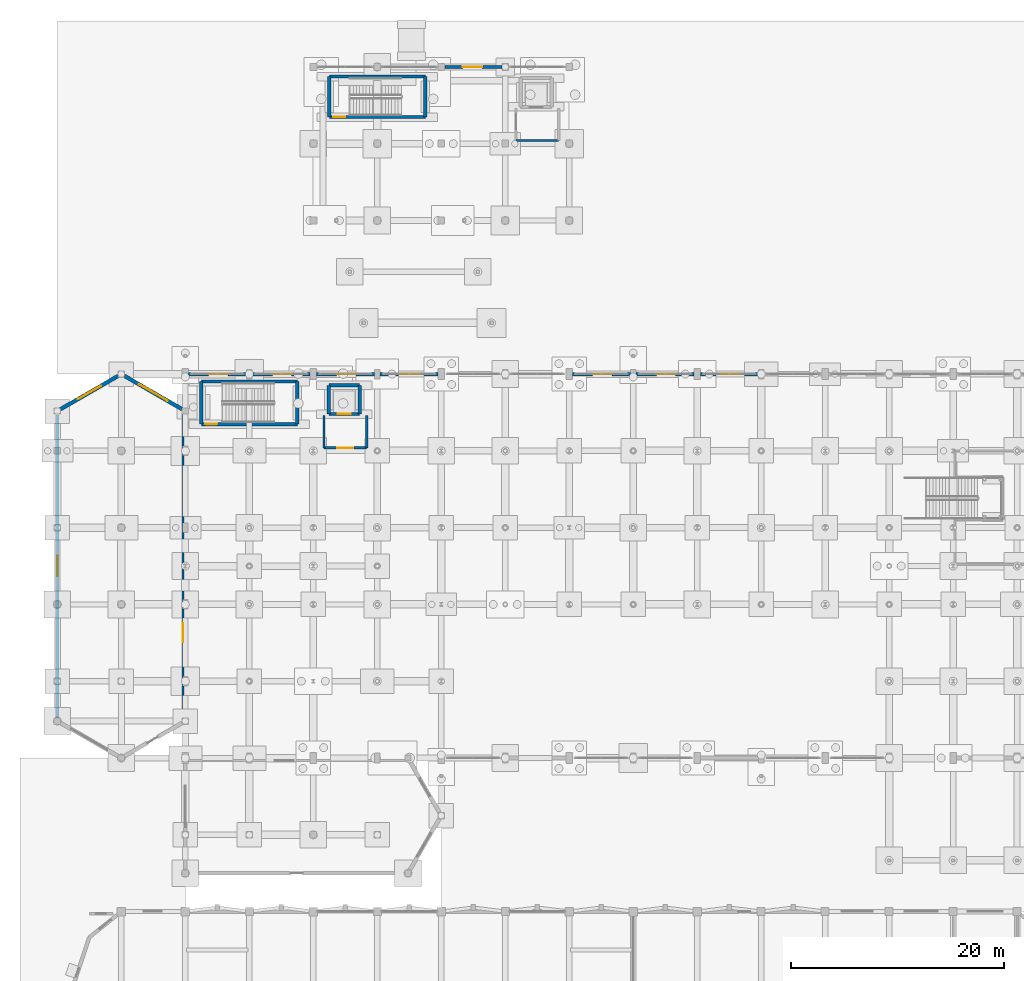
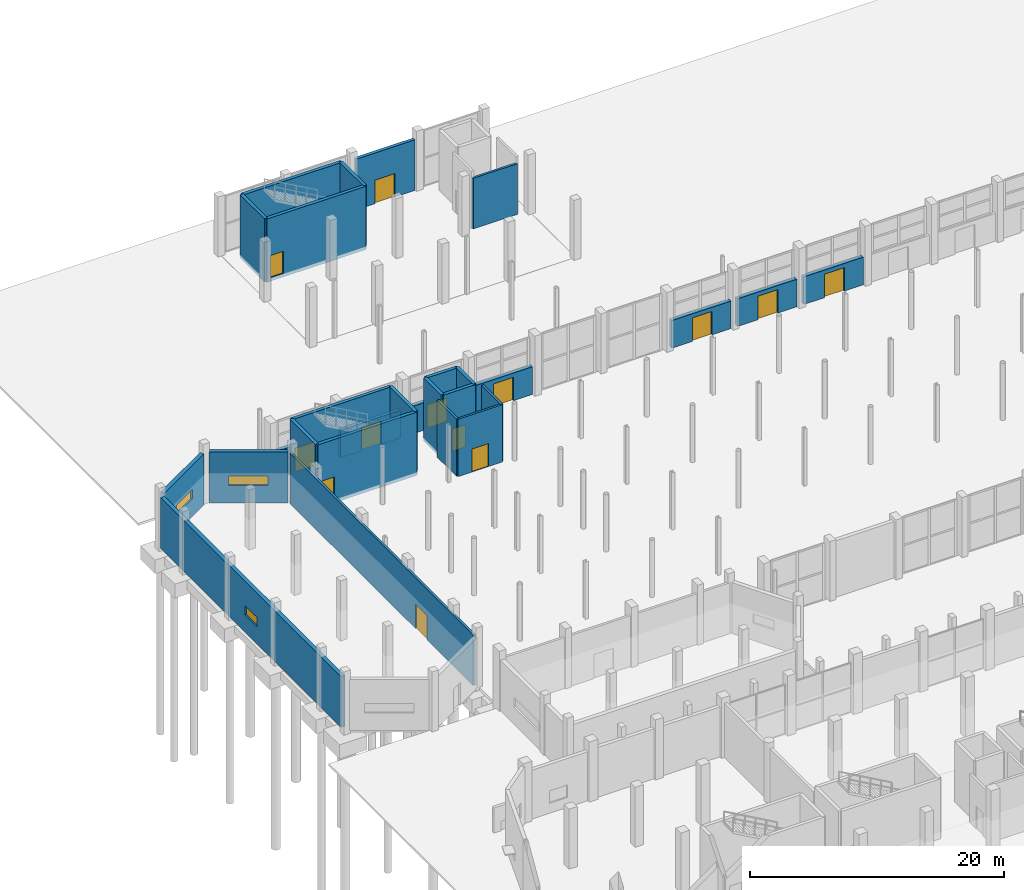
# One storey, part 80 of 103: 28 walls, 13 doors, 3 windows, 16 openings.
"""IFC4 building model written with IfcOpenShell, lengths in metres."""

import ifcopenshell
import ifcopenshell.guid

model = None  # the IFC model being written
_history = None  # IfcOwnerHistory: only IFC2X3 demands one
_inside = {}  # id of a spatial element -> (the spatial element, [elements in it])
_under = {}  # id of a project, library or spatial element -> (it, [spatial elements below it])
_declared = {}  # id of a project -> (the project, [libraries it declares])
_typed = {}  # id of a type object -> (the type object, [elements of that type])
_made_of = {}  # id of a material, layer set ... -> (it, [elements and type objects made of it])


def new_model(schema):
    """Start an empty IFC model of exactly this schema.

    Asked for "IFC4X3", IfcOpenShell would pick the latest addendum, in which some entities
    have other attributes; the version numbers below select the first issue.
    IFC2X3 requires an IfcOwnerHistory on every rooted entity: one is made here for all.
    """
    global model, _history
    if schema == "IFC4X3":
        model = ifcopenshell.file(schema_version=(4, 3, 0, 0))
    else:
        model = ifcopenshell.file(schema=schema)
    _inside.clear()
    _under.clear()
    _declared.clear()
    _typed.clear()
    _made_of.clear()
    _history = None
    if model.schema == "IFC2X3":
        org = make("IfcOrganization", Name="unknown")
        user = make(
            "IfcPersonAndOrganization",
            ThePerson=make("IfcPerson", FamilyName="unknown"),
            TheOrganization=org,
        )
        app = make(
            "IfcApplication",
            ApplicationDeveloper=org,
            Version="unknown",
            ApplicationFullName="unknown",
            ApplicationIdentifier="unknown",
        )
        _history = make(
            "IfcOwnerHistory",
            OwningUser=user,
            OwningApplication=app,
            ChangeAction="ADDED",
            CreationDate=0,
        )
    return model


def make(cls, **values):
    """One entity of the class cls with the attributes given. An attribute that is None is left unset."""
    return model.create_entity(
        cls, **{name: value for name, value in values.items() if value is not None}
    )


def rooted(cls, **values):
    """An entity with a GlobalId (a new one), such as an element, a storey or a relation."""
    return make(cls, GlobalId=ifcopenshell.guid.new(), OwnerHistory=_history, **values)


def si_unit(unit_type, name, prefix=None):
    """IfcSIUnit, for example si_unit("LENGTHUNIT", "METRE", prefix="MILLI")."""
    return make("IfcSIUnit", UnitType=unit_type, Prefix=prefix, Name=name)


def assignment(units):
    """IfcUnitAssignment: the units of a project."""
    return None if units is None else make("IfcUnitAssignment", Units=units)


def point(xyz):
    """IfcCartesianPoint."""
    return None if xyz is None else make("IfcCartesianPoint", Coordinates=xyz)


def direction(xyz):
    """IfcDirection."""
    return None if xyz is None else make("IfcDirection", DirectionRatios=xyz)


def frame(location, z_axis=None, x_axis=None):
    """IfcAxis2Placement3D, a coordinate frame: its origin and axes. An axis left out is left unset."""
    return make(
        "IfcAxis2Placement3D",
        Location=point(location),
        Axis=direction(z_axis),
        RefDirection=direction(x_axis),
    )


def frame_2d(location, x_axis=None):
    """IfcAxis2Placement2D, a coordinate frame in the plane: its origin and x axis."""
    return make(
        "IfcAxis2Placement2D", Location=point(location), RefDirection=direction(x_axis)
    )


def origin():
    """The frame at (0, 0, 0) with its axes left unset."""
    return frame((0.0, 0.0, 0.0))


def place(relative_to, where):
    """IfcLocalPlacement: puts the frame where relative to a parent placement (None: the world)."""
    return make(
        "IfcLocalPlacement", PlacementRelTo=relative_to, RelativePlacement=where
    )


def context(
    kind, dimensions, precision=None, world=None, true_north=None, identifier=None
):
    """IfcGeometricRepresentationContext, for example the 3D "Model" context."""
    return make(
        "IfcGeometricRepresentationContext",
        ContextIdentifier=identifier,
        ContextType=kind,
        CoordinateSpaceDimension=dimensions,
        Precision=precision,
        WorldCoordinateSystem=world,
        TrueNorth=true_north,
    )


def subcontext(parent, identifier, kind, view, scale=None):
    """IfcGeometricRepresentationSubContext, for example "Body" below "Model"."""
    return make(
        "IfcGeometricRepresentationSubContext",
        ContextIdentifier=identifier,
        ContextType=kind,
        ParentContext=parent,
        TargetScale=scale,
        TargetView=view,
    )


def project(units=None, contexts=None):
    """IfcProject with its units and contexts."""
    return rooted(
        "IfcProject",
        Name="project",
        RepresentationContexts=contexts,
        UnitsInContext=assignment(units),
    )


def spatial(cls, under=None, at=None, **own):
    """A site, building, storey or space (cls), placed at a placement, below another one or the project."""
    s = rooted(cls, ObjectPlacement=at, **own)
    if under is not None:
        _under.setdefault(under.id(), (under, []))[1].append(s)
    return s


def profile(cls, at=None, kind="AREA", **sizes):
    """A parametric profile (cls). Its sizes go by their IFC names, for example OverallWidth=200.0."""
    return make(cls, ProfileType=kind, Position=at, **sizes)


def rectangle(**sizes):
    """IfcRectangleProfileDef."""
    return profile("IfcRectangleProfileDef", **sizes)


def extrude(swept, where, along, depth):
    """IfcExtrudedAreaSolid: the profile swept, set in the frame where, extruded along a direction by depth."""
    return make(
        "IfcExtrudedAreaSolid",
        SweptArea=swept,
        Position=where,
        ExtrudedDirection=direction(along),
        Depth=depth,
    )


def shape(context_of_items, identifier, shape_type, items):
    """IfcShapeRepresentation: the items that make up one representation, for example the "Body"."""
    return make(
        "IfcShapeRepresentation",
        ContextOfItems=context_of_items,
        RepresentationIdentifier=identifier,
        RepresentationType=shape_type,
        Items=items,
    )


def material(Name=None, Category=None):
    """IfcMaterial."""
    return make("IfcMaterial", Name=Name, Category=Category)


def layer(
    of_material, thickness, ventilated=None, Name=None, Category=None, Priority=None
):
    """IfcMaterialLayer: one layer of a wall or slab, of a material (None: an air gap)."""
    return make(
        "IfcMaterialLayer",
        Material=of_material,
        LayerThickness=thickness,
        IsVentilated=ventilated,
        Name=Name,
        Category=Category,
        Priority=Priority,
    )


def layer_set(layers, Name=None):
    """IfcMaterialLayerSet."""
    return make("IfcMaterialLayerSet", MaterialLayers=layers, LayerSetName=Name)


def made_of(thing, what):
    """Note that an element or type object is made of a material, layer set ...; save() writes the relation."""
    if what is not None:
        _made_of.setdefault(what.id(), (what, []))[1].append(thing)
    return thing


def type_object(cls, material=None, **own):
    """A type object (cls), such as IfcWallType, which elements share."""
    return made_of(rooted(cls, **own), material)


def element(
    cls,
    number,
    at=None,
    inside=None,
    cuts=None,
    type_object=None,
    material=None,
    context=None,
    identifier="Body",
    shape_type=None,
    held_by="IfcProductDefinitionShape",
    body=None,
    shapes=None,
    **own,
):
    """One element of the class cls, such as IfcWall. Its Tag is "e" and its number.

    at: its placement. inside: the storey or other place that contains it. cuts: it is an
    opening in that element (IfcRelVoidsElement). A single representation is given by context,
    identifier, shape_type and body (its items); several are given by shapes. held_by: the class
    of the entity that holds the representations. save() writes the other relations.
    """
    e = rooted(cls, Tag="e%d" % number, ObjectPlacement=at, **own)
    if body is not None:
        shapes = [shape(context, identifier, shape_type, body)]
    if shapes is not None:
        e.Representation = make(held_by, Representations=shapes)
    if inside is not None:
        _inside.setdefault(inside.id(), (inside, []))[1].append(e)
    if cuts is not None:
        rooted(
            "IfcRelVoidsElement", RelatingBuildingElement=cuts, RelatedOpeningElement=e
        )
    if type_object is not None:
        _typed.setdefault(type_object.id(), (type_object, []))[1].append(e)
    return made_of(e, material)


def fill(opening, filler):
    """IfcRelFillsElement: the door or window that sits in an opening."""
    return rooted(
        "IfcRelFillsElement",
        RelatingOpeningElement=opening,
        RelatedBuildingElement=filler,
    )


def aggregate(whole, parts):
    """IfcRelAggregates: a whole, such as a stair, and the parts it consists of."""
    return rooted("IfcRelAggregates", RelatingObject=whole, RelatedObjects=parts)


def save(model, path):
    """Write the relations noted so far, then the file.

    IfcRelAggregates (storeys below a building ...), IfcRelContainedInSpatialStructure (elements
    in a storey), IfcRelDefinesByType, IfcRelAssociatesMaterial and IfcRelDeclares: one each for
    every whole, place, type object, material and project.
    """
    for whole, parts in _under.values():
        aggregate(whole, parts)
    for where, things in _inside.values():
        rooted(
            "IfcRelContainedInSpatialStructure",
            RelatedElements=things,
            RelatingStructure=where,
        )
    for kind, things in _typed.values():
        rooted("IfcRelDefinesByType", RelatedObjects=things, RelatingType=kind)
    for what, things in _made_of.values():
        rooted("IfcRelAssociatesMaterial", RelatedObjects=things, RelatingMaterial=what)
    for by, libraries in _declared.values():
        rooted("IfcRelDeclares", RelatingContext=by, RelatedDefinitions=libraries)
    model.write(path)


model = new_model("IFC4")

# Units and contexts
model_context = context("Model", 3, precision=1e-05, world=origin(), true_north=direction((0.0, 1.0)))
body_context = subcontext(model_context, "Body", "Model", "MODEL_VIEW")
ifc_project = project(units=[si_unit("LENGTHUNIT", "METRE"), si_unit("AREAUNIT", "SQUARE_METRE"), si_unit("VOLUMEUNIT", "CUBIC_METRE"), si_unit("PLANEANGLEUNIT", "RADIAN"), si_unit("MASSUNIT", "GRAM", prefix="KILO")], contexts=[model_context])

# Site, building, storey
site_placement = place(None, origin())
site = spatial("IfcSite", under=ifc_project, at=site_placement, CompositionType="ELEMENT")
building_placement = place(site_placement, origin())
building = spatial("IfcBuilding", under=site, at=building_placement, Name="Dunvalen Ferry Terminal", CompositionType="ELEMENT")
storey_placement = place(building_placement, origin())
storey = spatial("IfcBuildingStorey", under=building, at=storey_placement, Name="L00", CompositionType="ELEMENT", Elevation=0.0)

# Wall, opening, window
ifc_material_1 = material(Name="Precast concrete C40/50", Category="concrete")
ifc_layer_1 = layer(ifc_material_1, 0.360107421875, Name="Precast concrete C40/50")
ifc_layer_set_1 = layer_set([ifc_layer_1], Name="Precast concrete C40/50")
wall_type_1 = type_object("IfcWallType", Name="ENV-WL-ANX360", PredefinedType="SOLIDWALL", material=ifc_layer_set_1)
wall_1_placement = place(storey_placement, frame((11.697021484375, 83.11083984375, 0.0), z_axis=(0.0, 0.0, 1.0), x_axis=(-0.866025010818, 0.500000680637, 0.0)))
wall_1 = element("IfcWall", 1, at=wall_1_placement, inside=storey, type_object=wall_type_1, Name="L00 V1AW Faceted Precast Wall 03", PredefinedType="SOLIDWALL", context=body_context, shape_type="SweptSolid", body=[
    extrude(rectangle(XDim=6.228515625, YDim=0.360107421875, at=frame_2d((3.1142578125, 0.0))), origin(), (0.0, 0.0, 1.0), 4.8701171875),
])
opening_1_placement = place(wall_1_placement, frame((1.564208984375, 0.0, 1.64990234375)))
opening_1 = element("IfcOpeningElement", 2, at=opening_1_placement, cuts=wall_1, Name="Opening W-14", PredefinedType="OPENING", context=body_context, shape_type="SweptSolid", body=[
    extrude(rectangle(XDim=3.10009765625, YDim=0.949951171875, at=frame_2d((1.550048828125, 0.47509765625))), frame((0.0, 0.18994140625, 0.0), z_axis=(0.0, -1.0, 0.0), x_axis=(1.0, 0.0, 0.0)), (0.0, 0.0, 1.0), 0.380126953125),
])
ifc_material_2 = material(Name="Thermally broken aluminium and double glazing", Category="aluminium")
window_type_1 = type_object("IfcWindowType", Name="ENV-WIN-CLR-14", PartitioningType="SINGLE_PANEL", PredefinedType="WINDOW", material=ifc_material_2)
window_1_placement = place(opening_1_placement, origin())
window_1 = element("IfcWindow", 3, at=window_1_placement, inside=storey, type_object=window_type_1, Name="L00 V1AW Clerestory Window 03", OverallHeight=0.949951171875, OverallWidth=3.10009765625, PartitioningType="SINGLE_PANEL", PredefinedType="WINDOW", context=body_context, shape_type="SweptSolid", body=[
    extrude(rectangle(XDim=3.10009765625, YDim=0.949951171875, at=frame_2d((1.550048828125, 0.47509765625))), frame((0.0, 0.030029296875, 0.0), z_axis=(0.0, -1.0, 0.0), x_axis=(1.0, 0.0, 0.0)), (0.0, 0.0, 1.0), 0.06005859375),
])
fill(opening_1, window_1)

wall_2_placement = place(storey_placement, frame((5.697021484375, 86.22509765625, 0.0), z_axis=(0.0, 0.0, 1.0), x_axis=(-0.866025010818, -0.500000680637, 0.0)))
wall_2 = element("IfcWall", 4, at=wall_2_placement, inside=storey, type_object=wall_type_1, Name="L00 V1AW Faceted Precast Wall 04", PredefinedType="SOLIDWALL", context=body_context, shape_type="SweptSolid", body=[
    extrude(rectangle(XDim=6.228515625, YDim=0.360107421875, at=frame_2d((3.1142578125, 0.0))), origin(), (0.0, 0.0, 1.0), 4.8701171875),
])
opening_2_placement = place(wall_2_placement, frame((1.864013671875, 0.0, 1.64990234375)))
opening_2 = element("IfcOpeningElement", 5, at=opening_2_placement, cuts=wall_2, Name="Opening W-15", PredefinedType="OPENING", context=body_context, shape_type="SweptSolid", body=[
    extrude(rectangle(XDim=2.5, YDim=0.89990234375, at=frame_2d((1.25, 0.449951171875))), frame((0.0, 0.18994140625, 0.0), z_axis=(0.0, -1.0, 0.0), x_axis=(1.0, 0.0, 0.0)), (0.0, 0.0, 1.0), 0.380126953125),
])
window_type_2 = type_object("IfcWindowType", Name="ENV-WIN-CLR-15", PartitioningType="SINGLE_PANEL", PredefinedType="WINDOW", material=ifc_material_2)
window_2_placement = place(opening_2_placement, origin())
window_2 = element("IfcWindow", 6, at=window_2_placement, inside=storey, type_object=window_type_2, Name="L00 V1AW Clerestory Window 04", OverallHeight=0.89990234375, OverallWidth=2.5, PartitioningType="SINGLE_PANEL", PredefinedType="WINDOW", context=body_context, shape_type="SweptSolid", body=[
    extrude(rectangle(XDim=2.5, YDim=0.89990234375, at=frame_2d((1.25, 0.449951171875))), frame((0.0, 0.030029296875, 0.0), z_axis=(0.0, -1.0, 0.0), x_axis=(1.0, 0.0, 0.0)), (0.0, 0.0, 1.0), 0.06005859375),
])
fill(opening_2, window_2)

wall_3_placement = place(storey_placement, frame((0.0, 82.5859375, 0.0), z_axis=(0.0, 0.0, 1.0), x_axis=(0.0, -1.0, 0.0)))
wall_3 = element("IfcWall", 7, at=wall_3_placement, inside=storey, type_object=wall_type_1, Name="L00 V1AW Faceted Precast Wall 05", PredefinedType="SOLIDWALL", context=body_context, shape_type="SweptSolid", body=[
    extrude(rectangle(XDim=28.371826171875, YDim=0.360107421875, at=frame_2d((14.18603515625, 0.0))), origin(), (0.0, 0.0, 1.0), 4.8701171875),
])
opening_3_placement = place(wall_3_placement, frame((13.23583984375, 0.0, 1.64990234375)))
opening_3 = element("IfcOpeningElement", 8, at=opening_3_placement, cuts=wall_3, Name="Opening W-16", PredefinedType="OPENING", context=body_context, shape_type="SweptSolid", body=[
    extrude(rectangle(XDim=1.89990234375, YDim=0.89990234375, at=frame_2d((0.949951171875, 0.449951171875))), frame((0.0, 0.18994140625, 0.0), z_axis=(0.0, -1.0, 0.0), x_axis=(1.0, 0.0, 0.0)), (0.0, 0.0, 1.0), 0.380126953125),
])
window_type_3 = type_object("IfcWindowType", Name="ENV-WIN-CLR-16", PartitioningType="SINGLE_PANEL", PredefinedType="WINDOW", material=ifc_material_2)
window_3_placement = place(opening_3_placement, origin())
window_3 = element("IfcWindow", 9, at=window_3_placement, inside=storey, type_object=window_type_3, Name="L00 V1AW Clerestory Window 05", OverallHeight=0.89990234375, OverallWidth=1.89990234375, PartitioningType="SINGLE_PANEL", PredefinedType="WINDOW", context=body_context, shape_type="SweptSolid", body=[
    extrude(rectangle(XDim=1.89990234375, YDim=0.89990234375, at=frame_2d((0.949951171875, 0.449951171875))), frame((0.0, 0.030029296875, 0.0), z_axis=(0.0, -1.0, 0.0), x_axis=(1.0, 0.0, 0.0)), (0.0, 0.0, 1.0), 0.06005859375),
])
fill(opening_3, window_3)

# Wall, opening, door
ifc_layer_2 = layer(ifc_material_1, 0.2900390625, Name="Precast concrete C40/50")
ifc_layer_set_2 = layer_set([ifc_layer_2], Name="Precast concrete C40/50")
wall_type_2 = type_object("IfcWallType", Name="ENV-WL-BRT290", PredefinedType="SOLIDWALL", material=ifc_layer_set_2)
wall_4_placement = place(storey_placement, frame((36.326904296875, 115.199951171875, 0.0), z_axis=(0.0, 0.0, 1.0), x_axis=(1.0, 0.0, 0.0)))
wall_4 = element("IfcWall", 10, at=wall_4_placement, inside=storey, type_object=wall_type_2, Name="L00 Berth Pavilion 1 Quay Apron Exit Wall", PredefinedType="SOLIDWALL", context=body_context, shape_type="SweptSolid", body=[
    extrude(rectangle(XDim=5.34619140625, YDim=0.2900390625, at=frame_2d((2.673095703125, 0.0))), origin(), (0.0, 0.0, 1.0), 4.860107421875),
])
opening_4_placement = place(wall_4_placement, frame((1.697509765625, 0.0, 0.0)))
opening_4 = element("IfcOpeningElement", 11, at=opening_4_placement, cuts=wall_4, Name="Opening ED-03", PredefinedType="OPENING", context=body_context, shape_type="SweptSolid", body=[
    extrude(rectangle(XDim=1.800048828125, YDim=2.25, at=frame_2d((0.89990234375, 1.125))), frame((0.0, 0.155029296875, 0.0), z_axis=(0.0, -1.0, 0.0), x_axis=(1.0, 0.0, 0.0)), (0.0, 0.0, 1.0), 0.31005859375),
])
ifc_material_3 = material(Name="Marine grade powder-coated aluminium and laminated glass", Category="aluminium")
door_type_1 = type_object("IfcDoorType", Name="ENV-DR-EXT-1800", OperationType="DOUBLE_SWING_LEFT", PredefinedType="DOOR", material=ifc_material_3)
door_1_placement = place(opening_4_placement, origin())
door_1 = element("IfcDoor", 12, at=door_1_placement, inside=storey, type_object=door_type_1, Name="L00 Berth Pavilion 1 Quay Discharge Door", OperationType="DOUBLE_SWING_LEFT", OverallHeight=2.25, OverallWidth=1.800048828125, PredefinedType="DOOR", context=body_context, shape_type="SweptSolid", body=[
    extrude(rectangle(XDim=1.800048828125, YDim=2.25, at=frame_2d((0.89990234375, 1.125))), frame((0.0, 0.02490234375, 0.0), z_axis=(0.0, -1.0, 0.0), x_axis=(1.0, 0.0, 0.0)), (0.0, 0.0, 1.0), 0.050048828125),
])
fill(opening_4, door_1)

ifc_layer_3 = layer(ifc_material_1, 0.340087890625, Name="Precast concrete C40/50")
ifc_layer_set_3 = layer_set([ifc_layer_3], Name="Precast concrete C40/50")
wall_type_3 = type_object("IfcWallType", Name="ENV-WL-SPN340", PredefinedType="SOLIDWALL", material=ifc_layer_set_3)
wall_5_placement = place(storey_placement, frame((12.302001953125, 86.39990234375, 0.0), z_axis=(0.0, 0.0, 1.0), x_axis=(1.0, 0.0, 0.0)))
wall_5 = element("IfcWall", 13, at=wall_5_placement, inside=storey, type_object=wall_type_3, Name="L00 Departure Hall Quay Storefront Portal Wall 01", PredefinedType="SOLIDWALL", context=body_context, shape_type="SweptSolid", body=[
    extrude(rectangle(XDim=5.4208984375, YDim=0.340087890625, at=frame_2d((2.71044921875, 0.0))), origin(), (0.0, 0.0, 1.0), 2.64990234375),
])
opening_5_placement = place(wall_5_placement, frame((1.887939453125, 0.0, 0.0)))
opening_5 = element("IfcOpeningElement", 14, at=opening_5_placement, cuts=wall_5, Name="Opening ED-03", PredefinedType="OPENING", context=body_context, shape_type="SweptSolid", body=[
    extrude(rectangle(XDim=1.800048828125, YDim=2.25, at=frame_2d((0.89990234375, 1.125))), frame((0.0, 0.18017578125, 0.0), z_axis=(0.0, -1.0, 0.0), x_axis=(1.0, 0.0, 0.0)), (0.0, 0.0, 1.0), 0.360107421875),
])
door_2_placement = place(opening_5_placement, origin())
door_2 = element("IfcDoor", 15, at=door_2_placement, inside=storey, type_object=door_type_1, Name="L00 Departure Hall Quay Promenade Exit Door 01", OperationType="DOUBLE_SWING_LEFT", OverallHeight=2.25, OverallWidth=1.800048828125, PredefinedType="DOOR", context=body_context, shape_type="SweptSolid", body=[
    extrude(rectangle(XDim=1.800048828125, YDim=2.25, at=frame_2d((0.89990234375, 1.125))), frame((0.0, 0.02490234375, 0.0), z_axis=(0.0, -1.0, 0.0), x_axis=(1.0, 0.0, 0.0)), (0.0, 0.0, 1.0), 0.050048828125),
])
fill(opening_5, door_2)

wall_6_placement = place(storey_placement, frame((18.277099609375, 86.39990234375, 0.0), z_axis=(0.0, 0.0, 1.0), x_axis=(1.0, 0.0, 0.0)))
wall_6 = element("IfcWall", 16, at=wall_6_placement, inside=storey, type_object=wall_type_3, Name="L00 Departure Hall Quay Storefront Portal Wall 02", PredefinedType="SOLIDWALL", context=body_context, shape_type="SweptSolid", body=[
    extrude(rectangle(XDim=5.4208984375, YDim=0.340087890625, at=frame_2d((2.71044921875, 0.0))), origin(), (0.0, 0.0, 1.0), 2.64990234375),
])
opening_6_placement = place(wall_6_placement, frame((1.887939453125, 0.0, 0.0)))
opening_6 = element("IfcOpeningElement", 17, at=opening_6_placement, cuts=wall_6, Name="Opening ED-03", PredefinedType="OPENING", context=body_context, shape_type="SweptSolid", body=[
    extrude(rectangle(XDim=1.800048828125, YDim=2.25, at=frame_2d((0.89990234375, 1.125))), frame((0.0, 0.18017578125, 0.0), z_axis=(0.0, -1.0, 0.0), x_axis=(1.0, 0.0, 0.0)), (0.0, 0.0, 1.0), 0.360107421875),
])
door_3_placement = place(opening_6_placement, origin())
door_3 = element("IfcDoor", 18, at=door_3_placement, inside=storey, type_object=door_type_1, Name="L00 Departure Hall Quay Promenade Exit Door 02", OperationType="DOUBLE_SWING_LEFT", OverallHeight=2.25, OverallWidth=1.800048828125, PredefinedType="DOOR", context=body_context, shape_type="SweptSolid", body=[
    extrude(rectangle(XDim=1.800048828125, YDim=2.25, at=frame_2d((0.89990234375, 1.125))), frame((0.0, 0.02490234375, 0.0), z_axis=(0.0, -1.0, 0.0), x_axis=(1.0, 0.0, 0.0)), (0.0, 0.0, 1.0), 0.050048828125),
])
fill(opening_6, door_3)

wall_7_placement = place(storey_placement, frame((24.302001953125, 86.39990234375, 0.0), z_axis=(0.0, 0.0, 1.0), x_axis=(1.0, 0.0, 0.0)))
wall_7 = element("IfcWall", 19, at=wall_7_placement, inside=storey, type_object=wall_type_3, Name="L00 Departure Hall Quay Storefront Portal Wall 03", PredefinedType="SOLIDWALL", context=body_context, shape_type="SweptSolid", body=[
    extrude(rectangle(XDim=5.4208984375, YDim=0.340087890625, at=frame_2d((2.71044921875, 0.0))), origin(), (0.0, 0.0, 1.0), 2.64990234375),
])
opening_7_placement = place(wall_7_placement, frame((1.887939453125, 0.0, 0.0)))
opening_7 = element("IfcOpeningElement", 20, at=opening_7_placement, cuts=wall_7, Name="Opening ED-03", PredefinedType="OPENING", context=body_context, shape_type="SweptSolid", body=[
    extrude(rectangle(XDim=1.800048828125, YDim=2.25, at=frame_2d((0.89990234375, 1.125))), frame((0.0, 0.18017578125, 0.0), z_axis=(0.0, -1.0, 0.0), x_axis=(1.0, 0.0, 0.0)), (0.0, 0.0, 1.0), 0.360107421875),
])
door_4_placement = place(opening_7_placement, origin())
door_4 = element("IfcDoor", 21, at=door_4_placement, inside=storey, type_object=door_type_1, Name="L00 Departure Hall Quay Promenade Exit Door 03", OperationType="DOUBLE_SWING_LEFT", OverallHeight=2.25, OverallWidth=1.800048828125, PredefinedType="DOOR", context=body_context, shape_type="SweptSolid", body=[
    extrude(rectangle(XDim=1.800048828125, YDim=2.25, at=frame_2d((0.89990234375, 1.125))), frame((0.0, 0.02490234375, 0.0), z_axis=(0.0, -1.0, 0.0), x_axis=(1.0, 0.0, 0.0)), (0.0, 0.0, 1.0), 0.050048828125),
])
fill(opening_7, door_4)

wall_8_placement = place(storey_placement, frame((30.277099609375, 86.39990234375, 0.0), z_axis=(0.0, 0.0, 1.0), x_axis=(1.0, 0.0, 0.0)))
wall_8 = element("IfcWall", 22, at=wall_8_placement, inside=storey, type_object=wall_type_3, Name="L00 Departure Hall Quay Storefront Portal Wall 04", PredefinedType="SOLIDWALL", context=body_context, shape_type="SweptSolid", body=[
    extrude(rectangle(XDim=5.4208984375, YDim=0.340087890625, at=frame_2d((2.71044921875, 0.0))), origin(), (0.0, 0.0, 1.0), 2.64990234375),
])
opening_8_placement = place(wall_8_placement, frame((1.887939453125, 0.0, 0.0)))
opening_8 = element("IfcOpeningElement", 23, at=opening_8_placement, cuts=wall_8, Name="Opening ED-03", PredefinedType="OPENING", context=body_context, shape_type="SweptSolid", body=[
    extrude(rectangle(XDim=1.800048828125, YDim=2.25, at=frame_2d((0.89990234375, 1.125))), frame((0.0, 0.18017578125, 0.0), z_axis=(0.0, -1.0, 0.0), x_axis=(1.0, 0.0, 0.0)), (0.0, 0.0, 1.0), 0.360107421875),
])
door_5_placement = place(opening_8_placement, origin())
door_5 = element("IfcDoor", 24, at=door_5_placement, inside=storey, type_object=door_type_1, Name="L00 Departure Hall Quay Promenade Exit Door 04", OperationType="DOUBLE_SWING_LEFT", OverallHeight=2.25, OverallWidth=1.800048828125, PredefinedType="DOOR", context=body_context, shape_type="SweptSolid", body=[
    extrude(rectangle(XDim=1.800048828125, YDim=2.25, at=frame_2d((0.89990234375, 1.125))), frame((0.0, 0.02490234375, 0.0), z_axis=(0.0, -1.0, 0.0), x_axis=(1.0, 0.0, 0.0)), (0.0, 0.0, 1.0), 0.050048828125),
])
fill(opening_8, door_5)

wall_9_placement = place(storey_placement, frame((48.302001953125, 86.39990234375, 0.0), z_axis=(0.0, 0.0, 1.0), x_axis=(1.0, 0.0, 0.0)))
wall_9 = element("IfcWall", 25, at=wall_9_placement, inside=storey, type_object=wall_type_3, Name="L00 Departure Hall Quay Storefront Portal Wall 07", PredefinedType="SOLIDWALL", context=body_context, shape_type="SweptSolid", body=[
    extrude(rectangle(XDim=5.4208984375, YDim=0.340087890625, at=frame_2d((2.71044921875, 0.0))), origin(), (0.0, 0.0, 1.0), 2.64990234375),
])
opening_9_placement = place(wall_9_placement, frame((1.887939453125, 0.0, 0.0)))
opening_9 = element("IfcOpeningElement", 26, at=opening_9_placement, cuts=wall_9, Name="Opening ED-03", PredefinedType="OPENING", context=body_context, shape_type="SweptSolid", body=[
    extrude(rectangle(XDim=1.800048828125, YDim=2.25, at=frame_2d((0.89990234375, 1.125))), frame((0.0, 0.18017578125, 0.0), z_axis=(0.0, -1.0, 0.0), x_axis=(1.0, 0.0, 0.0)), (0.0, 0.0, 1.0), 0.360107421875),
])
door_6_placement = place(opening_9_placement, origin())
door_6 = element("IfcDoor", 27, at=door_6_placement, inside=storey, type_object=door_type_1, Name="L00 Departure Hall Quay Promenade Exit Door 07", OperationType="DOUBLE_SWING_LEFT", OverallHeight=2.25, OverallWidth=1.800048828125, PredefinedType="DOOR", context=body_context, shape_type="SweptSolid", body=[
    extrude(rectangle(XDim=1.800048828125, YDim=2.25, at=frame_2d((0.89990234375, 1.125))), frame((0.0, 0.02490234375, 0.0), z_axis=(0.0, -1.0, 0.0), x_axis=(1.0, 0.0, 0.0)), (0.0, 0.0, 1.0), 0.050048828125),
])
fill(opening_9, door_6)

wall_10_placement = place(storey_placement, frame((54.277099609375, 86.39990234375, 0.0), z_axis=(0.0, 0.0, 1.0), x_axis=(1.0, 0.0, 0.0)))
wall_10 = element("IfcWall", 28, at=wall_10_placement, inside=storey, type_object=wall_type_3, Name="L00 Departure Hall Quay Storefront Portal Wall 08", PredefinedType="SOLIDWALL", context=body_context, shape_type="SweptSolid", body=[
    extrude(rectangle(XDim=5.4208984375, YDim=0.340087890625, at=frame_2d((2.71044921875, 0.0))), origin(), (0.0, 0.0, 1.0), 2.64990234375),
])
opening_10_placement = place(wall_10_placement, frame((1.887939453125, 0.0, 0.0)))
opening_10 = element("IfcOpeningElement", 29, at=opening_10_placement, cuts=wall_10, Name="Opening ED-03", PredefinedType="OPENING", context=body_context, shape_type="SweptSolid", body=[
    extrude(rectangle(XDim=1.800048828125, YDim=2.25, at=frame_2d((0.89990234375, 1.125))), frame((0.0, 0.18017578125, 0.0), z_axis=(0.0, -1.0, 0.0), x_axis=(1.0, 0.0, 0.0)), (0.0, 0.0, 1.0), 0.360107421875),
])
door_7_placement = place(opening_10_placement, origin())
door_7 = element("IfcDoor", 30, at=door_7_placement, inside=storey, type_object=door_type_1, Name="L00 Departure Hall Quay Promenade Exit Door 08", OperationType="DOUBLE_SWING_LEFT", OverallHeight=2.25, OverallWidth=1.800048828125, PredefinedType="DOOR", context=body_context, shape_type="SweptSolid", body=[
    extrude(rectangle(XDim=1.800048828125, YDim=2.25, at=frame_2d((0.89990234375, 1.125))), frame((0.0, 0.02490234375, 0.0), z_axis=(0.0, -1.0, 0.0), x_axis=(1.0, 0.0, 0.0)), (0.0, 0.0, 1.0), 0.050048828125),
])
fill(opening_10, door_7)

wall_11_placement = place(storey_placement, frame((60.302001953125, 86.39990234375, 0.0), z_axis=(0.0, 0.0, 1.0), x_axis=(1.0, 0.0, 0.0)))
wall_11 = element("IfcWall", 31, at=wall_11_placement, inside=storey, type_object=wall_type_3, Name="L00 Departure Hall Quay Storefront Portal Wall 09", PredefinedType="SOLIDWALL", context=body_context, shape_type="SweptSolid", body=[
    extrude(rectangle(XDim=5.4208984375, YDim=0.340087890625, at=frame_2d((2.71044921875, 0.0))), origin(), (0.0, 0.0, 1.0), 2.64990234375),
])
opening_11_placement = place(wall_11_placement, frame((1.887939453125, 0.0, 0.0)))
opening_11 = element("IfcOpeningElement", 32, at=opening_11_placement, cuts=wall_11, Name="Opening ED-03", PredefinedType="OPENING", context=body_context, shape_type="SweptSolid", body=[
    extrude(rectangle(XDim=1.800048828125, YDim=2.25, at=frame_2d((0.89990234375, 1.125))), frame((0.0, 0.18017578125, 0.0), z_axis=(0.0, -1.0, 0.0), x_axis=(1.0, 0.0, 0.0)), (0.0, 0.0, 1.0), 0.360107421875),
])
door_8_placement = place(opening_11_placement, origin())
door_8 = element("IfcDoor", 33, at=door_8_placement, inside=storey, type_object=door_type_1, Name="L00 Departure Hall Quay Promenade Exit Door 09", OperationType="DOUBLE_SWING_LEFT", OverallHeight=2.25, OverallWidth=1.800048828125, PredefinedType="DOOR", context=body_context, shape_type="SweptSolid", body=[
    extrude(rectangle(XDim=1.800048828125, YDim=2.25, at=frame_2d((0.89990234375, 1.125))), frame((0.0, 0.02490234375, 0.0), z_axis=(0.0, -1.0, 0.0), x_axis=(1.0, 0.0, 0.0)), (0.0, 0.0, 1.0), 0.050048828125),
])
fill(opening_11, door_8)

# Wall
ifc_material_4 = material(Name="Autoclaved aerated concrete blockwork", Category="masonry")
ifc_layer_4 = layer(ifc_material_4, 0.199951171875, Name="Autoclaved aerated concrete blockwork")
ifc_layer_set_4 = layer_set([ifc_layer_4], Name="Autoclaved aerated concrete blockwork")
wall_type_4 = type_object("IfcWallType", Name="INT-WL-CMP200", PredefinedType="PARTITIONING", material=ifc_layer_set_4)
wall_12_placement = place(storey_placement, frame((24.989990234375, 82.510009765625, 0.0), z_axis=(0.0, 0.0, 1.0), x_axis=(0.0, -1.0, 0.0)))
element("IfcWall", 34, at=wall_12_placement, inside=storey, type_object=wall_type_4, Name="L00 L00 Lift Lobby LP-01 Partition 1", PredefinedType="PARTITIONING", context=body_context, shape_type="SweptSolid", body=[
    extrude(rectangle(XDim=3.02001953125, YDim=0.199951171875, at=frame_2d((1.510009765625, 0.0))), origin(), (0.0, 0.0, 1.0), 5.5),
])

# Wall, opening, door
wall_13_placement = place(storey_placement, frame((24.989990234375, 79.489990234375, 0.0), z_axis=(0.0, 0.0, 1.0), x_axis=(1.0, 0.0, 0.0)))
wall_13 = element("IfcWall", 35, at=wall_13_placement, inside=storey, type_object=wall_type_4, Name="L00 L00 Lift Lobby LP-01 Partition 2", PredefinedType="PARTITIONING", context=body_context, shape_type="SweptSolid", body=[
    extrude(rectangle(XDim=4.02001953125, YDim=0.199951171875, at=frame_2d((2.010009765625, 0.0))), origin(), (0.0, 0.0, 1.0), 5.5),
])
opening_12_placement = place(wall_13_placement, frame((1.260009765625, 0.0, 0.0)))
opening_12 = element("IfcOpeningElement", 36, at=opening_12_placement, cuts=wall_13, Name="Opening ID-04", PredefinedType="OPENING", context=body_context, shape_type="SweptSolid", body=[
    extrude(rectangle(XDim=1.5, YDim=2.199951171875, at=frame_2d((0.75, 1.10009765625))), frame((0.0, 0.10986328125, 0.0), z_axis=(0.0, -1.0, 0.0), x_axis=(1.0, 0.0, 0.0)), (0.0, 0.0, 1.0), 0.219970703125),
])
ifc_material_5 = material(Name="Anodised aluminium glazed fire door", Category="aluminium")
door_type_2 = type_object("IfcDoorType", Name="INT-DR-LOB-1500", OperationType="DOUBLE_SWING_LEFT", PredefinedType="DOOR", material=ifc_material_5)
door_9_placement = place(opening_12_placement, origin())
door_9 = element("IfcDoor", 37, at=door_9_placement, inside=storey, type_object=door_type_2, Name="L00 Lift Lobby LP-01 Door", OperationType="DOUBLE_SWING_LEFT", OverallHeight=2.199951171875, OverallWidth=1.5, PredefinedType="DOOR", context=body_context, shape_type="SweptSolid", body=[
    extrude(rectangle(XDim=1.5, YDim=2.199951171875, at=frame_2d((0.75, 1.10009765625))), frame((0.0, 0.02490234375, 0.0), z_axis=(0.0, -1.0, 0.0), x_axis=(1.0, 0.0, 0.0)), (0.0, 0.0, 1.0), 0.050048828125),
])
fill(opening_12, door_9)

# Walls
wall_14_placement = place(storey_placement, frame((29.010009765625, 79.489990234375, 0.0), z_axis=(0.0, 0.0, 1.0), x_axis=(0.0, 1.0, 0.0)))
element("IfcWall", 38, at=wall_14_placement, inside=storey, type_object=wall_type_4, Name="L00 L00 Lift Lobby LP-01 Partition 3", PredefinedType="PARTITIONING", context=body_context, shape_type="SweptSolid", body=[
    extrude(rectangle(XDim=3.02001953125, YDim=0.199951171875, at=frame_2d((1.510009765625, 0.0))), origin(), (0.0, 0.0, 1.0), 5.5),
])
wall_15_placement = place(storey_placement, frame((42.989990234375, 108.2900390625, 0.0), z_axis=(0.0, 0.0, 1.0), x_axis=(1.0, 0.0, 0.0)))
element("IfcWall", 39, at=wall_15_placement, inside=storey, type_object=wall_type_4, Name="L00 L00 Lift Lobby LP-03 Partition 3", PredefinedType="PARTITIONING", context=body_context, shape_type="SweptSolid", body=[
    extrude(rectangle(XDim=4.02001953125, YDim=0.199951171875, at=frame_2d((2.010009765625, 0.0))), origin(), (0.0, 0.0, 1.0), 4.860107421875),
])

# Wall, opening, door
wall_16_placement = place(storey_placement, frame((11.780029296875, 53.9912109375, 0.0), z_axis=(0.0, 0.0, 1.0), x_axis=(0.0, 1.0, 0.0)))
wall_16 = element("IfcWall", 40, at=wall_16_placement, inside=storey, type_object=wall_type_4, Name="L00 L00 Outbound Baggage Handling Hall Partition 1", PredefinedType="PARTITIONING", context=body_context, shape_type="SweptSolid", body=[
    extrude(rectangle(XDim=28.817626953125, YDim=0.199951171875, at=frame_2d((14.40869140625, 0.0))), origin(), (0.0, 0.0, 1.0), 4.8701171875),
])
opening_13_placement = place(wall_16_placement, frame((7.26318359375, 0.0, 0.0)))
opening_13 = element("IfcOpeningElement", 41, at=opening_13_placement, cuts=wall_16, Name="Opening ID-07", PredefinedType="OPENING", context=body_context, shape_type="SweptSolid", body=[
    extrude(rectangle(XDim=1.800048828125, YDim=2.300048828125, at=frame_2d((0.89990234375, 1.14990234375))), frame((0.0, 0.10986328125, 0.0), z_axis=(0.0, -1.0, 0.0), x_axis=(1.0, 0.0, 0.0)), (0.0, 0.0, 1.0), 0.219970703125),
])
ifc_material_6 = material(Name="Thermally broken aluminium fire door", Category="aluminium")
door_type_3 = type_object("IfcDoorType", Name="INT-DR-ANX-1800", OperationType="DOUBLE_SWING_LEFT", PredefinedType="DOOR", material=ifc_material_6)
door_10_placement = place(opening_13_placement, origin())
door_10 = element("IfcDoor", 42, at=door_10_placement, inside=storey, type_object=door_type_3, Name="L00 Outbound Baggage Handling Hall Door", OperationType="DOUBLE_SWING_LEFT", OverallHeight=2.300048828125, OverallWidth=1.800048828125, PredefinedType="DOOR", context=body_context, shape_type="SweptSolid", body=[
    extrude(rectangle(XDim=1.800048828125, YDim=2.300048828125, at=frame_2d((0.89990234375, 1.14990234375))), frame((0.0, 0.02490234375, 0.0), z_axis=(0.0, -1.0, 0.0), x_axis=(1.0, 0.0, 0.0)), (0.0, 0.0, 1.0), 0.050048828125),
])
fill(opening_13, door_10)

# Walls
ifc_material_7 = material(Name="Concrete C40/50", Category="concrete")
ifc_layer_5 = layer(ifc_material_7, 0.300048828125, Name="Concrete C40/50")
ifc_layer_set_5 = layer_set([ifc_layer_5], Name="Concrete C40/50")
wall_type_5 = type_object("IfcWallType", Name="STR-WL-SHR300", PredefinedType="SHEAR", material=ifc_layer_set_5)
for number, where, z_axis, x_axis, name in (
    (43, (13.5, 81.699951171875, -0.320068359375), (0.0, 0.0, 1.0), (0.0, 1.0, 0.0), "L00 ST7 Core West Shear Wall"),
    (44, (22.5, 81.699951171875, -0.320068359375), (0.0, 0.0, 1.0), (0.0, 1.0, 0.0), "L00 ST7 Core East Shear Wall"),
):
    element("IfcWall", number, at=place(storey_placement, frame(where, z_axis=z_axis, x_axis=x_axis)), inside=storey, type_object=wall_type_5, Name=name, PredefinedType="SHEAR", context=body_context, shape_type="SweptSolid", body=[
        extrude(rectangle(XDim=4.0, YDim=0.300048828125, at=frame_2d((2.0, 0.0))), origin(), (0.0, 0.0, 1.0), 6.080078125),
    ])
for number, where, z_axis, x_axis, name in (
    (45, (25.5, 110.5, -0.320068359375), (0.0, 0.0, 1.0), (0.0, 1.0, 0.0), "L00 ST11 Core West Shear Wall"),
    (46, (34.5, 110.5, -0.320068359375), (0.0, 0.0, 1.0), (0.0, 1.0, 0.0), "L00 ST11 Core East Shear Wall"),
):
    element("IfcWall", number, at=place(storey_placement, frame(where, z_axis=z_axis, x_axis=x_axis)), inside=storey, type_object=wall_type_5, Name=name, PredefinedType="SHEAR", context=body_context, shape_type="SweptSolid", body=[
        extrude(rectangle(XDim=3.800048828125, YDim=0.300048828125, at=frame_2d((1.89990234375, 0.0))), origin(), (0.0, 0.0, 1.0), 6.080078125),
    ])
wall_17_placement = place(storey_placement, frame((13.5, 85.699951171875, -0.320068359375), z_axis=(0.0, 0.0, 1.0), x_axis=(1.0, 0.0, 0.0)))
element("IfcWall", 47, at=wall_17_placement, inside=storey, type_object=wall_type_5, Name="L00 ST7 Core North Shear Wall", PredefinedType="SHEAR", context=body_context, shape_type="SweptSolid", body=[
    extrude(rectangle(XDim=9.0, YDim=0.300048828125, at=frame_2d((4.5, 0.0))), origin(), (0.0, 0.0, 1.0), 6.080078125),
])

# Wall, opening, door
wall_18_placement = place(storey_placement, frame((13.5, 81.699951171875, -0.320068359375), z_axis=(0.0, 0.0, 1.0), x_axis=(1.0, 0.0, 0.0)))
wall_18 = element("IfcWall", 48, at=wall_18_placement, inside=storey, type_object=wall_type_5, Name="L00 ST7 Core South Shear Wall", PredefinedType="SHEAR", context=body_context, shape_type="SweptSolid", body=[
    extrude(rectangle(XDim=9.0, YDim=0.300048828125, at=frame_2d((4.5, 0.0))), origin(), (0.0, 0.0, 1.0), 6.080078125),
])
opening_14_placement = place(wall_18_placement, frame((0.35009765625, 0.0, 0.320068359375)))
opening_14 = element("IfcOpeningElement", 49, at=opening_14_placement, cuts=wall_18, Name="Opening ID-02", PredefinedType="OPENING", context=body_context, shape_type="SweptSolid", body=[
    extrude(rectangle(XDim=1.14990234375, YDim=2.14990234375, at=frame_2d((0.574951171875, 1.074951171875))), frame((0.0, 0.16015625, 0.0), z_axis=(0.0, -1.0, 0.0), x_axis=(1.0, 0.0, 0.0)), (0.0, 0.0, 1.0), 0.320068359375),
])
ifc_material_8 = material(Name="Powder-coated steel fire door", Category="steel")
door_type_4 = type_object("IfcDoorType", Name="INT-DR-STR-1150", OperationType="NOTDEFINED", PredefinedType="DOOR", material=ifc_material_8)
door_11_placement = place(opening_14_placement, frame((1.14990234375, 0.0, 0.0), z_axis=(0.0, 0.0, 1.0), x_axis=(-1.0, 0.0, 0.0)))
door_11 = element("IfcDoor", 50, at=door_11_placement, inside=storey, type_object=door_type_4, Name="L00 ST7 Escape Stair Fire Door", OperationType="SINGLE_SWING_RIGHT", OverallHeight=2.14990234375, OverallWidth=1.14990234375, PredefinedType="DOOR", context=body_context, shape_type="SweptSolid", body=[
    extrude(rectangle(XDim=1.14990234375, YDim=2.14990234375, at=frame_2d((0.574951171875, 1.074951171875))), frame((0.0, 0.02490234375, 0.0), z_axis=(0.0, -1.0, 0.0), x_axis=(1.0, 0.0, 0.0)), (0.0, 0.0, 1.0), 0.050048828125),
])
fill(opening_14, door_11)

# Wall
wall_19_placement = place(storey_placement, frame((25.5, 114.300048828125, -0.320068359375), z_axis=(0.0, 0.0, 1.0), x_axis=(1.0, 0.0, 0.0)))
element("IfcWall", 51, at=wall_19_placement, inside=storey, type_object=wall_type_5, Name="L00 ST11 Core North Shear Wall", PredefinedType="SHEAR", context=body_context, shape_type="SweptSolid", body=[
    extrude(rectangle(XDim=9.0, YDim=0.300048828125, at=frame_2d((4.5, 0.0))), origin(), (0.0, 0.0, 1.0), 6.080078125),
])

# Wall, opening, door
wall_20_placement = place(storey_placement, frame((25.5, 110.5, -0.320068359375), z_axis=(0.0, 0.0, 1.0), x_axis=(1.0, 0.0, 0.0)))
wall_20 = element("IfcWall", 52, at=wall_20_placement, inside=storey, type_object=wall_type_5, Name="L00 ST11 Core South Shear Wall", PredefinedType="SHEAR", context=body_context, shape_type="SweptSolid", body=[
    extrude(rectangle(XDim=9.0, YDim=0.300048828125, at=frame_2d((4.5, 0.0))), origin(), (0.0, 0.0, 1.0), 6.080078125),
])
opening_15_placement = place(wall_20_placement, frame((0.35009765625, 0.0, 0.320068359375)))
opening_15 = element("IfcOpeningElement", 53, at=opening_15_placement, cuts=wall_20, Name="Opening ID-02", PredefinedType="OPENING", context=body_context, shape_type="SweptSolid", body=[
    extrude(rectangle(XDim=1.14990234375, YDim=2.14990234375, at=frame_2d((0.574951171875, 1.074951171875))), frame((0.0, 0.16015625, 0.0), z_axis=(0.0, -1.0, 0.0), x_axis=(1.0, 0.0, 0.0)), (0.0, 0.0, 1.0), 0.320068359375),
])
door_12_placement = place(opening_15_placement, frame((1.14990234375, 0.0, 0.0), z_axis=(0.0, 0.0, 1.0), x_axis=(-1.0, 0.0, 0.0)))
door_12 = element("IfcDoor", 54, at=door_12_placement, inside=storey, type_object=door_type_4, Name="L00 ST11 Escape Stair Fire Door", OperationType="SINGLE_SWING_RIGHT", OverallHeight=2.14990234375, OverallWidth=1.14990234375, PredefinedType="DOOR", context=body_context, shape_type="SweptSolid", body=[
    extrude(rectangle(XDim=1.14990234375, YDim=2.14990234375, at=frame_2d((0.574951171875, 1.074951171875))), frame((0.0, 0.02490234375, 0.0), z_axis=(0.0, -1.0, 0.0), x_axis=(1.0, 0.0, 0.0)), (0.0, 0.0, 1.0), 0.050048828125),
])
fill(opening_15, door_12)

wall_21_placement = place(storey_placement, frame((25.449951171875, 82.64990234375, -0.320068359375), z_axis=(0.0, 0.0, 1.0), x_axis=(1.0, 0.0, 0.0)))
wall_21 = element("IfcWall", 55, at=wall_21_placement, inside=storey, type_object=wall_type_5, Name="L00 LP-01 Lift Shaft S Wall", PredefinedType="SHEAR", context=body_context, shape_type="SweptSolid", body=[
    extrude(rectangle(XDim=2.900146484375, YDim=0.300048828125, at=frame_2d((1.4501953125, 0.0))), origin(), (0.0, 0.0, 1.0), 6.080078125),
])
opening_16_placement = place(wall_21_placement, frame((0.85009765625, 0.0, 0.320068359375)))
opening_16 = element("IfcOpeningElement", 56, at=opening_16_placement, cuts=wall_21, Name="Opening LD-02", PredefinedType="OPENING", context=body_context, shape_type="SweptSolid", body=[
    extrude(rectangle(XDim=1.199951171875, YDim=2.14990234375, at=frame_2d((0.60009765625, 1.074951171875))), frame((0.0, 0.16015625, 0.0), z_axis=(0.0, -1.0, 0.0), x_axis=(1.0, 0.0, 0.0)), (0.0, 0.0, 1.0), 0.320068359375),
])
ifc_material_9 = material(Name="Brushed 316 stainless steel", Category="steel")
door_type_5 = type_object("IfcDoorType", Name="INT-DR-LFT-1200", OperationType="SLIDING_TO_LEFT", PredefinedType="DOOR", material=ifc_material_9)
door_13_placement = place(opening_16_placement, origin())
door_13 = element("IfcDoor", 57, at=door_13_placement, inside=storey, type_object=door_type_5, Name="L00 LP-01 Lift Sliding Landing Door", OperationType="SLIDING_TO_LEFT", OverallHeight=2.14990234375, OverallWidth=1.199951171875, PredefinedType="DOOR", context=body_context, shape_type="SweptSolid", body=[
    extrude(rectangle(XDim=1.199951171875, YDim=2.14990234375, at=frame_2d((0.60009765625, 1.074951171875))), frame((0.0, 0.02490234375, 0.0), z_axis=(0.0, -1.0, 0.0), x_axis=(1.0, 0.0, 0.0)), (0.0, 0.0, 1.0), 0.050048828125),
])
fill(opening_16, door_13)

# Walls
wall_22_placement = place(storey_placement, frame((25.449951171875, 85.35009765625, -0.320068359375), z_axis=(0.0, 0.0, 1.0), x_axis=(1.0, 0.0, 0.0)))
element("IfcWall", 58, at=wall_22_placement, inside=storey, type_object=wall_type_5, Name="L00 LP-01 Lift Shaft N Wall", PredefinedType="SHEAR", context=body_context, shape_type="SweptSolid", body=[
    extrude(rectangle(XDim=2.900146484375, YDim=0.300048828125, at=frame_2d((1.4501953125, 0.0))), origin(), (0.0, 0.0, 1.0), 6.080078125),
])
for number, where, z_axis, x_axis, name in (
    (59, (25.449951171875, 82.64990234375, -0.320068359375), (0.0, 0.0, 1.0), (0.0, 1.0, 0.0), "L00 LP-01 Lift Shaft W Wall"),
    (60, (28.35009765625, 82.64990234375, -0.320068359375), (0.0, 0.0, 1.0), (0.0, 1.0, 0.0), "L00 LP-01 Lift Shaft E Wall"),
):
    element("IfcWall", number, at=place(storey_placement, frame(where, z_axis=z_axis, x_axis=x_axis)), inside=storey, type_object=wall_type_5, Name=name, PredefinedType="SHEAR", context=body_context, shape_type="SweptSolid", body=[
        extrude(rectangle(XDim=2.7001953125, YDim=0.300048828125, at=frame_2d((1.35009765625, 0.0))), origin(), (0.0, 0.0, 1.0), 6.080078125),
    ])

save(model, "model.ifc")
